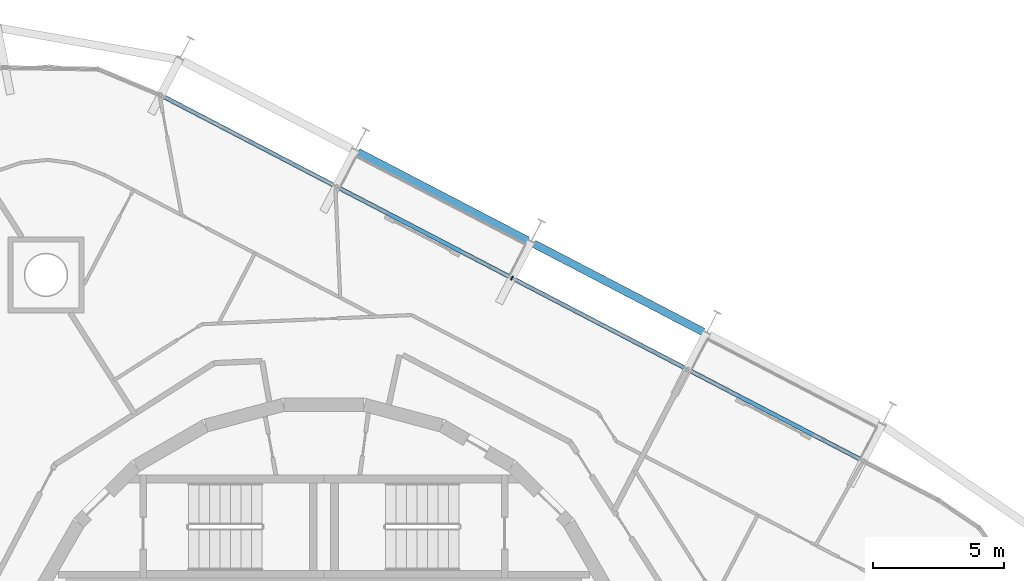
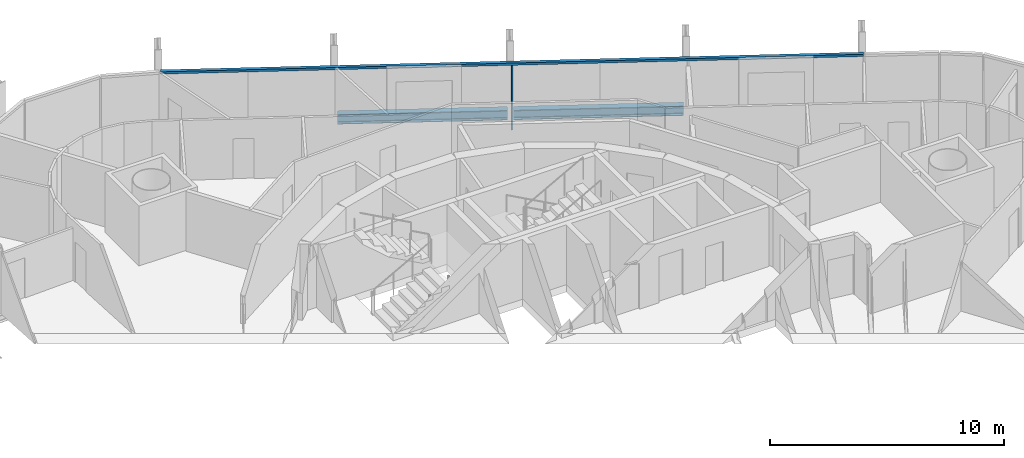
# One storey, part 7 of 17: 2 beams, 2 members, 1 element without a shape of its own.
"""IFC4 building model written with IfcOpenShell, lengths in metres."""

from ifc_helpers import new_model, si_unit, direction, frame, origin, origin_2d, place, context, subcontext, project, spatial, rectangle, i_section, extrude, material, layer, layer_set, material_profile, profile_set, type_object, element, aggregate, save


model = new_model("IFC4")

# Units and contexts
model_context = context("Model", 3, precision=1e-05, world=origin(), true_north=direction((0.0, 1.0)))
body_context = subcontext(model_context, "Body", "Model", "MODEL_VIEW")
ifc_project = project(units=[si_unit("LENGTHUNIT", "METRE"), si_unit("AREAUNIT", "SQUARE_METRE"), si_unit("VOLUMEUNIT", "CUBIC_METRE"), si_unit("PLANEANGLEUNIT", "RADIAN"), si_unit("MASSUNIT", "GRAM", prefix="KILO")], contexts=[model_context])

# Site, building, storey
site_placement = place(None, origin())
site = spatial("IfcSite", under=ifc_project, at=site_placement, CompositionType="ELEMENT")
building_placement = place(site_placement, origin())
building = spatial("IfcBuilding", under=site, at=building_placement, Name="Spindle Arch Residences", CompositionType="ELEMENT")
storey_placement = place(building_placement, frame((0.0, 0.0, 244.199951171875)))
storey = spatial("IfcBuildingStorey", under=building, at=storey_placement, Name="L62", CompositionType="ELEMENT", Elevation=244.199951171875)

# Curtain wall, members
ifc_material_1 = material(Name="Aluminium bronze unitised frame with tinted glass", Category="aluminium")
ifc_layer = layer(ifc_material_1, 0.159912109375)
ifc_layer_set = layer_set([ifc_layer], Name="CW-C typical residential unitised wall")
curtain_wall_type = type_object("IfcCurtainWallType", Name="CW-C typical residential unitised wall", PredefinedType="NOTDEFINED", material=ifc_layer_set)
curtain_wall_placement = place(storey_placement, origin())
curtain_wall = element("IfcCurtainWall", 1, at=curtain_wall_placement, inside=storey, type_object=curtain_wall_type, Name="CW-C L62 run 2", PredefinedType="NOTDEFINED")
ifc_material_2 = material(Name="Aluminium bronze anodised mullion", Category="aluminium")
ifc_material_profile_1 = material_profile(ifc_material_2, rectangle(XDim=0.159912109375, YDim=0.06005859375, at=origin_2d()), Name="MU 60x160")
ifc_profile_set_1 = profile_set([ifc_material_profile_1], Name="Aluminium bronze anodised mullion")
member_type_1 = type_object("IfcMemberType", Name="Bronze mullion 60x160", PredefinedType="MULLION", material=ifc_profile_set_1)
member_1_placement = place(storey_placement, frame((7.15869140625, 16.4697265625, -0.3798828125), z_axis=(0.0, 0.0, 1.0), x_axis=(-0.461748613235, -0.887010833178, 0.0)))
member_1 = element("IfcMember", 2, at=member_1_placement, type_object=member_type_1, Name="CW-C mullion 07", PredefinedType="MULLION", context=body_context, shape_type="SweptSolid", body=[
    extrude(rectangle(XDim=0.159912109375, YDim=0.06005859375, at=origin_2d()), origin(), (0.0, 0.0, 1.0), 3.3798828125),
])
ifc_material_3 = material(Name="Aluminium bronze anodised transom", Category="aluminium")
ifc_material_profile_2 = material_profile(ifc_material_3, rectangle(XDim=0.159912109375, YDim=0.1201171875, at=origin_2d()), Name="TR 120x160")
ifc_profile_set_2 = profile_set([ifc_material_profile_2], Name="Aluminium bronze anodised transom")
member_type_2 = type_object("IfcMemberType", Name="Bronze transom 120x160", PredefinedType="USERDEFINED", material=ifc_profile_set_2)
member_2_placement = place(storey_placement, frame((20.49072265625, 9.529541015625, 3.06005859375), z_axis=(-0.887009936453, 0.461750335825, 0.0), x_axis=(-0.461750335825, -0.887009936453, 0.0)))
member_2 = element("IfcMember", 3, at=member_2_placement, type_object=member_type_2, Name="CW-C transom 00", ObjectType="TRANSOM", PredefinedType="USERDEFINED", context=body_context, shape_type="SweptSolid", body=[
    extrude(rectangle(XDim=0.159912109375, YDim=0.1201171875, at=origin_2d()), origin(), (0.0, 0.0, 1.0), 30.060302734375),
])
aggregate(curtain_wall, [member_2, member_1])

# Beams
ifc_material_4 = material(Name="Steel S460ML, intumescent coating R 120", Category="steel")
ifc_material_profile_3 = material_profile(ifc_material_4, i_section(OverallWidth=0.300048828125, OverallDepth=0.5, WebThickness=0.014404296875, FlangeThickness=0.028076171875, FilletRadius=0.027099609375, at=origin_2d()), Name="HEB 500")
ifc_profile_set_3 = profile_set([ifc_material_profile_3], Name="Steel S460ML, intumescent coating R 120")
beam_type = type_object("IfcBeamType", Name="Exoskeleton edge beam HEB 500", PredefinedType="BEAM", material=ifc_profile_set_3)
for number, where, z_axis, x_axis, name in (
    (4, (14.43359375, 14.418701171875, -0.6298828125), (-0.887007222688, 0.461755548857, 0.0), (-0.461755548857, -0.887007222688, 0.0), "Exoskeleton edge beam 7"),
    (5, (7.75439453125, 17.895751953125, -0.6298828125), (-0.887007222688, 0.461755548857, 0.0), (-0.461755548857, -0.887007222688, 0.0), "Exoskeleton edge beam 8"),
):
    element("IfcBeam", number, at=place(storey_placement, frame(where, z_axis=z_axis, x_axis=x_axis)), inside=storey, type_object=beam_type, Name=name, PredefinedType="BEAM", context=body_context, shape_type="SweptSolid", body=[
        extrude(i_section(OverallWidth=0.300048828125, OverallDepth=0.5, WebThickness=0.014404296875, FlangeThickness=0.028076171875, FilletRadius=0.027099609375, at=origin_2d()), origin(), (0.0, 0.0, 1.0), 7.27001953125),
    ])

save(model, "model.ifc")
